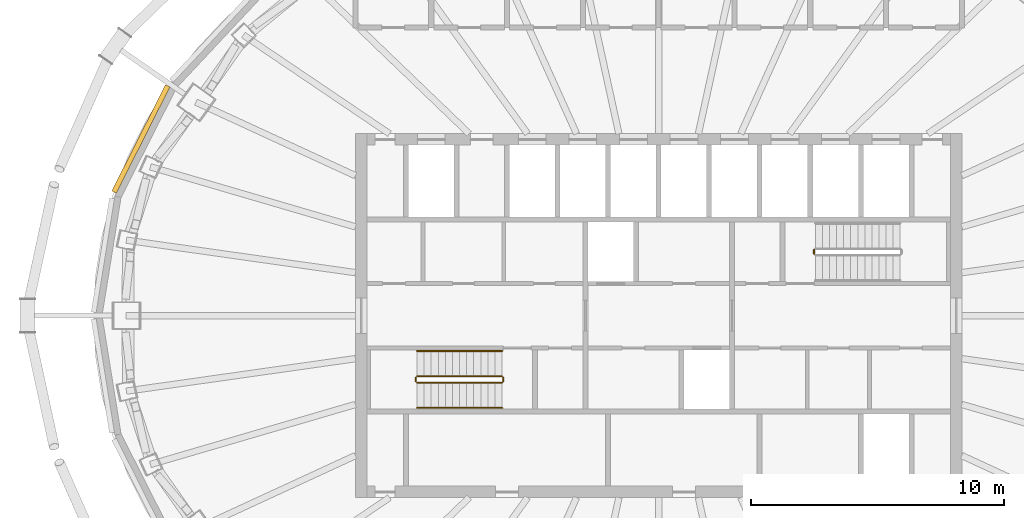
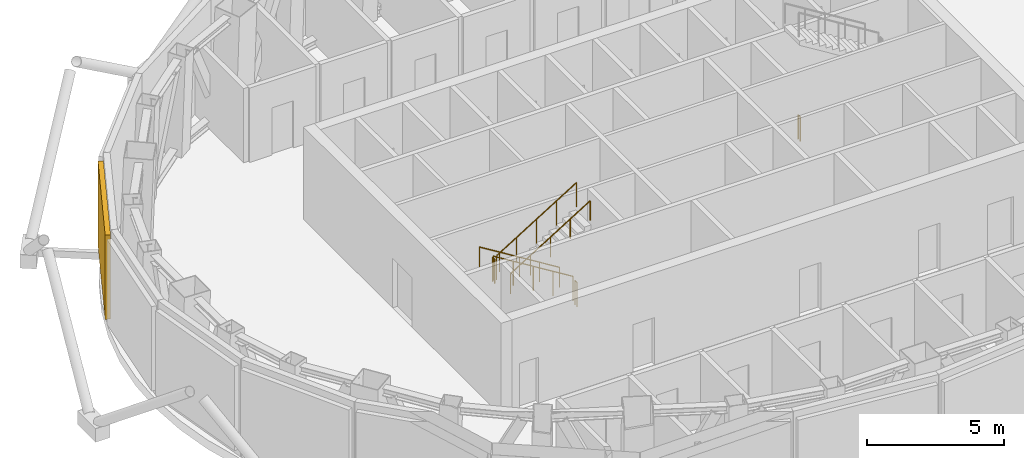
# One storey, part 13 of 15: 7 railings, 1 shading device.
"""IFC4 building model written with IfcOpenShell, lengths in metres."""

from ifc_helpers import new_model, si_unit, direction, frame, origin, origin_2d, place, context, subcontext, project, spatial, rectangle, circle, extrude, material, layer, layer_set, type_object, element, save


model = new_model("IFC4")

# Units and contexts
model_context = context("Model", 3, precision=1e-05, world=origin(), true_north=direction((0.0, 1.0)))
body_context = subcontext(model_context, "Body", "Model", "MODEL_VIEW")
ifc_project = project(units=[si_unit("LENGTHUNIT", "METRE"), si_unit("AREAUNIT", "SQUARE_METRE"), si_unit("VOLUMEUNIT", "CUBIC_METRE"), si_unit("PLANEANGLEUNIT", "RADIAN"), si_unit("MASSUNIT", "GRAM", prefix="KILO")], contexts=[model_context])

# Site, building, storey
site_placement = place(None, origin())
site = spatial("IfcSite", under=ifc_project, at=site_placement, CompositionType="ELEMENT")
building_placement = place(site_placement, origin())
building = spatial("IfcBuilding", under=site, at=building_placement, Name="Siaravel Broadcast Tower", CompositionType="ELEMENT")
storey_placement = place(building_placement, frame((0.0, 0.0, 212.60009765625)))
storey = spatial("IfcBuildingStorey", under=building, at=storey_placement, Name="L51", CompositionType="ELEMENT", Elevation=212.60009765625)

# Shading device
ifc_material_1 = material(Name="Bronze anodised aluminium", Category="aluminium")
ifc_layer = layer(ifc_material_1, 0.199951171875)
ifc_layer_set = layer_set([ifc_layer], Name="Bronze anodised aluminium")
shading_device_type = type_object("IfcShadingDeviceType", Name="Plant louvre bank", PredefinedType="USERDEFINED", material=ifc_layer_set)
shading_device_placement = place(storey_placement, frame((-20.491943359375, 6.992919921875, 0.2998046875), z_axis=(0.0, 0.0, 1.0), x_axis=(-0.451260732, -0.892392151, 0.0)))
element("IfcShadingDevice", 1, at=shading_device_placement, inside=storey, type_object=shading_device_type, Name="L51 plant louvre bank 11", ObjectType="LOUVRE", PredefinedType="USERDEFINED", context=body_context, shape_type="SweptSolid", body=[
    extrude(rectangle(XDim=4.70849609375, YDim=0.199951171875, at=origin_2d()), origin(), (0.0, 0.0, 1.0), 3.75),
])

# Railings
ifc_material_2 = material(Name="Stainless steel 316L", Category="steel")
railing_type_1 = type_object("IfcRailingType", Name="Stair guard 1100", PredefinedType="GUARDRAIL", material=ifc_material_2)
railing_1_placement = place(storey_placement, frame((-6.199951171875, -2.39990234375, 0.173095703125)))
element("IfcRailing", 2, at=railing_1_placement, inside=storey, type_object=railing_type_1, Name="L51 ST-1 stair guard 1", PredefinedType="GUARDRAIL", context=body_context, shape_type="SweptSolid", body=[
    extrude(circle(Radius=0.02392578125, at=origin_2d()), frame((0.0, 0.0, 1.076171875), z_axis=(-0.850623217, 0.0, 0.525775754), x_axis=(0.0, -1.0, 0.0)), (0.0, 0.0, 1.0), 3.9501953125),
    extrude(circle(Radius=0.02099609375, at=origin_2d()), origin(), (0.0, 0.0, 1.0), 1.052001953125),
    extrude(circle(Radius=0.02099609375, at=origin_2d()), frame((-0.840087890625, 0.0, 0.519287109375)), (0.0, 0.0, 1.0), 1.052001953125),
    extrude(circle(Radius=0.02099609375, at=origin_2d()), frame((-1.68017578125, 0.0, 1.03857421875)), (0.0, 0.0, 1.0), 1.052001953125),
    extrude(circle(Radius=0.02099609375, at=origin_2d()), frame((-2.52001953125, 0.0, 1.5576171875)), (0.0, 0.0, 1.0), 1.052001953125),
    extrude(circle(Radius=0.02099609375, at=origin_2d()), frame((-3.360107421875, 0.0, 2.076904296875)), (0.0, 0.0, 1.0), 1.052001953125),
])
railing_2_placement = place(storey_placement, frame((-9.610107421875, -2.449951171875, 2.25)))
element("IfcRailing", 3, at=railing_2_placement, inside=storey, type_object=railing_type_1, Name="L51 ST-1 stair guard 2", PredefinedType="GUARDRAIL", context=body_context, shape_type="SweptSolid", body=[
    extrude(circle(Radius=0.02392578125, at=origin_2d()), frame((0.0, 0.0, 1.076171875), z_axis=(0.0, -1.0, 0.0), x_axis=(1.0, 0.0, 0.0)), (0.0, 0.0, 1.0), 0.150146484375),
    extrude(circle(Radius=0.02099609375, at=origin_2d()), origin(), (0.0, 0.0, 1.0), 1.052001953125),
    extrude(circle(Radius=0.02099609375, at=origin_2d()), frame((0.0, -0.150146484375, 0.0)), (0.0, 0.0, 1.0), 1.052001953125),
])
railing_3_placement = place(storey_placement, frame((-9.56005859375, -2.64990234375, 2.423095703125)))
element("IfcRailing", 4, at=railing_3_placement, inside=storey, type_object=railing_type_1, Name="L51 ST-1 stair guard 3", PredefinedType="GUARDRAIL", context=body_context, shape_type="SweptSolid", body=[
    extrude(circle(Radius=0.02392578125, at=origin_2d()), frame((0.0, 0.0, 1.076171875), z_axis=(0.850623217, 0.0, 0.525775754), x_axis=(0.0, 1.0, 0.0)), (0.0, 0.0, 1.0), 3.9501953125),
    extrude(circle(Radius=0.02099609375, at=origin_2d()), origin(), (0.0, 0.0, 1.0), 1.052001953125),
    extrude(circle(Radius=0.02099609375, at=origin_2d()), frame((0.840087890625, 0.0, 0.519287109375)), (0.0, 0.0, 1.0), 1.052001953125),
    extrude(circle(Radius=0.02099609375, at=origin_2d()), frame((1.68017578125, 0.0, 1.03857421875)), (0.0, 0.0, 1.0), 1.052001953125),
    extrude(circle(Radius=0.02099609375, at=origin_2d()), frame((2.52001953125, 0.0, 1.5576171875)), (0.0, 0.0, 1.0), 1.052001953125),
    extrude(circle(Radius=0.02099609375, at=origin_2d()), frame((3.360107421875, 0.0, 2.076904296875)), (0.0, 0.0, 1.0), 1.052001953125),
])
railing_4_placement = place(storey_placement, frame((-6.14990234375, -2.449951171875, 0.0)))
element("IfcRailing", 5, at=railing_4_placement, inside=storey, type_object=railing_type_1, Name="L51 ST-1 stair guard 4", PredefinedType="GUARDRAIL", context=body_context, shape_type="SweptSolid", body=[
    extrude(circle(Radius=0.02392578125, at=origin_2d()), frame((0.0, 0.0, 1.076171875), z_axis=(0.0, -1.0, 0.0), x_axis=(1.0, 0.0, 0.0)), (0.0, 0.0, 1.0), 0.150146484375),
    extrude(circle(Radius=0.02099609375, at=origin_2d()), origin(), (0.0, 0.0, 1.0), 1.052001953125),
    extrude(circle(Radius=0.02099609375, at=origin_2d()), frame((0.0, -0.150146484375, 0.0)), (0.0, 0.0, 1.0), 1.052001953125),
])
railing_5_placement = place(storey_placement, frame((6.14990234375, 2.449951171875, 0.0)))
element("IfcRailing", 6, at=railing_5_placement, inside=storey, type_object=railing_type_1, Name="L51 ST-2 stair guard 4", PredefinedType="GUARDRAIL", context=body_context, shape_type="SweptSolid", body=[
    extrude(circle(Radius=0.02392578125, at=origin_2d()), frame((0.0, 0.0, 1.076171875), z_axis=(0.0, 1.0, 0.0), x_axis=(-1.0, 0.0, 0.0)), (0.0, 0.0, 1.0), 0.150146484375),
    extrude(circle(Radius=0.02099609375, at=origin_2d()), origin(), (0.0, 0.0, 1.0), 1.052001953125),
    extrude(circle(Radius=0.02099609375, at=origin_2d()), frame((0.0, 0.150146484375, 0.0)), (0.0, 0.0, 1.0), 1.052001953125),
])
railing_type_2 = type_object("IfcRailingType", Name="Stair handrail 900", PredefinedType="HANDRAIL", material=ifc_material_2)
railing_6_placement = place(storey_placement, frame((-6.199951171875, -1.39990234375, 0.173095703125)))
element("IfcRailing", 7, at=railing_6_placement, inside=storey, type_object=railing_type_2, Name="L51 ST-1 stair handrail 1", PredefinedType="HANDRAIL", context=body_context, shape_type="SweptSolid", body=[
    extrude(circle(Radius=0.02392578125, at=origin_2d()), frame((0.0, 0.0, 0.8759765625), z_axis=(-0.850623217, 0.0, 0.525775754), x_axis=(0.0, -1.0, 0.0)), (0.0, 0.0, 1.0), 3.9501953125),
    extrude(circle(Radius=0.02099609375, at=origin_2d()), origin(), (0.0, 0.0, 1.0), 0.851806640625),
    extrude(circle(Radius=0.02099609375, at=origin_2d()), frame((-0.840087890625, 0.0, 0.519287109375)), (0.0, 0.0, 1.0), 0.851806640625),
    extrude(circle(Radius=0.02099609375, at=origin_2d()), frame((-1.68017578125, 0.0, 1.03857421875)), (0.0, 0.0, 1.0), 0.851806640625),
    extrude(circle(Radius=0.02099609375, at=origin_2d()), frame((-2.52001953125, 0.0, 1.5576171875)), (0.0, 0.0, 1.0), 0.851806640625),
    extrude(circle(Radius=0.02099609375, at=origin_2d()), frame((-3.360107421875, 0.0, 2.076904296875)), (0.0, 0.0, 1.0), 0.851806640625),
])
railing_7_placement = place(storey_placement, frame((-9.56005859375, -3.64990234375, 2.423095703125)))
element("IfcRailing", 8, at=railing_7_placement, inside=storey, type_object=railing_type_2, Name="L51 ST-1 stair handrail 2", PredefinedType="HANDRAIL", context=body_context, shape_type="SweptSolid", body=[
    extrude(circle(Radius=0.02392578125, at=origin_2d()), frame((0.0, 0.0, 0.8759765625), z_axis=(0.850623217, 0.0, 0.525775754), x_axis=(0.0, 1.0, 0.0)), (0.0, 0.0, 1.0), 3.9501953125),
    extrude(circle(Radius=0.02099609375, at=origin_2d()), origin(), (0.0, 0.0, 1.0), 0.851806640625),
    extrude(circle(Radius=0.02099609375, at=origin_2d()), frame((0.840087890625, 0.0, 0.519287109375)), (0.0, 0.0, 1.0), 0.851806640625),
    extrude(circle(Radius=0.02099609375, at=origin_2d()), frame((1.68017578125, 0.0, 1.03857421875)), (0.0, 0.0, 1.0), 0.851806640625),
    extrude(circle(Radius=0.02099609375, at=origin_2d()), frame((2.52001953125, 0.0, 1.5576171875)), (0.0, 0.0, 1.0), 0.851806640625),
    extrude(circle(Radius=0.02099609375, at=origin_2d()), frame((3.360107421875, 0.0, 2.076904296875)), (0.0, 0.0, 1.0), 0.851806640625),
])

save(model, "model.ifc")
